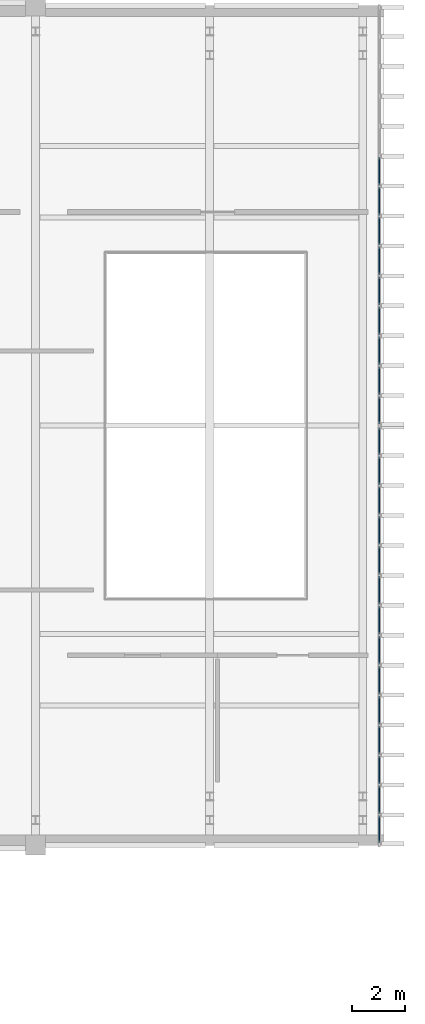
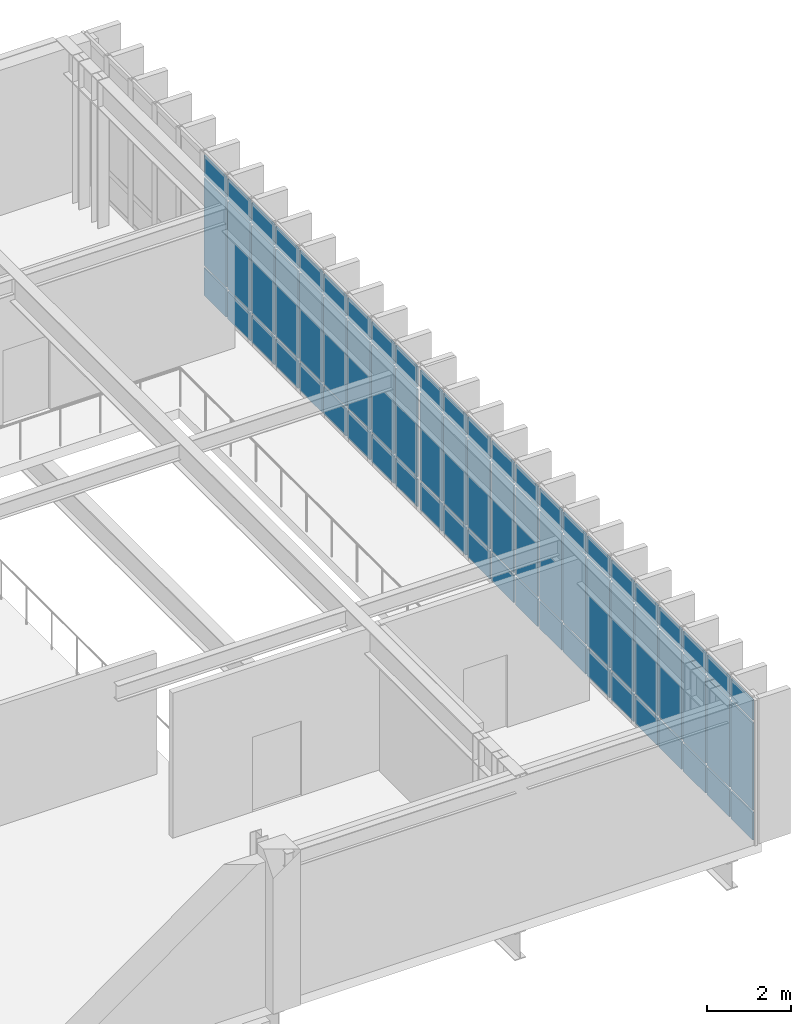
# One storey, part 10 of 23: 69 plates, 2 elements without a shape of their own.
"""IFC4 building model written with IfcOpenShell, lengths in metres."""

import ifcopenshell
import ifcopenshell.guid

model = None  # the IFC model being written
_history = None  # IfcOwnerHistory: only IFC2X3 demands one
_inside = {}  # id of a spatial element -> (the spatial element, [elements in it])
_under = {}  # id of a project, library or spatial element -> (it, [spatial elements below it])
_declared = {}  # id of a project -> (the project, [libraries it declares])
_typed = {}  # id of a type object -> (the type object, [elements of that type])
_made_of = {}  # id of a material, layer set ... -> (it, [elements and type objects made of it])


def new_model(schema):
    """Start an empty IFC model of exactly this schema.

    Asked for "IFC4X3", IfcOpenShell would pick the latest addendum, in which some entities
    have other attributes; the version numbers below select the first issue.
    IFC2X3 requires an IfcOwnerHistory on every rooted entity: one is made here for all.
    """
    global model, _history
    if schema == "IFC4X3":
        model = ifcopenshell.file(schema_version=(4, 3, 0, 0))
    else:
        model = ifcopenshell.file(schema=schema)
    _inside.clear()
    _under.clear()
    _declared.clear()
    _typed.clear()
    _made_of.clear()
    _history = None
    if model.schema == "IFC2X3":
        org = make("IfcOrganization", Name="unknown")
        user = make(
            "IfcPersonAndOrganization",
            ThePerson=make("IfcPerson", FamilyName="unknown"),
            TheOrganization=org,
        )
        app = make(
            "IfcApplication",
            ApplicationDeveloper=org,
            Version="unknown",
            ApplicationFullName="unknown",
            ApplicationIdentifier="unknown",
        )
        _history = make(
            "IfcOwnerHistory",
            OwningUser=user,
            OwningApplication=app,
            ChangeAction="ADDED",
            CreationDate=0,
        )
    return model


def make(cls, **values):
    """One entity of the class cls with the attributes given. An attribute that is None is left unset."""
    return model.create_entity(
        cls, **{name: value for name, value in values.items() if value is not None}
    )


def rooted(cls, **values):
    """An entity with a GlobalId (a new one), such as an element, a storey or a relation."""
    return make(cls, GlobalId=ifcopenshell.guid.new(), OwnerHistory=_history, **values)


def si_unit(unit_type, name, prefix=None):
    """IfcSIUnit, for example si_unit("LENGTHUNIT", "METRE", prefix="MILLI")."""
    return make("IfcSIUnit", UnitType=unit_type, Prefix=prefix, Name=name)


def assignment(units):
    """IfcUnitAssignment: the units of a project."""
    return None if units is None else make("IfcUnitAssignment", Units=units)


def point(xyz):
    """IfcCartesianPoint."""
    return None if xyz is None else make("IfcCartesianPoint", Coordinates=xyz)


def direction(xyz):
    """IfcDirection."""
    return None if xyz is None else make("IfcDirection", DirectionRatios=xyz)


def frame(location, z_axis=None, x_axis=None):
    """IfcAxis2Placement3D, a coordinate frame: its origin and axes. An axis left out is left unset."""
    return make(
        "IfcAxis2Placement3D",
        Location=point(location),
        Axis=direction(z_axis),
        RefDirection=direction(x_axis),
    )


def frame_2d(location, x_axis=None):
    """IfcAxis2Placement2D, a coordinate frame in the plane: its origin and x axis."""
    return make(
        "IfcAxis2Placement2D", Location=point(location), RefDirection=direction(x_axis)
    )


def origin():
    """The frame at (0, 0, 0) with its axes left unset."""
    return frame((0.0, 0.0, 0.0))


def origin_2d():
    """The frame at (0, 0) in the plane with its x axis left unset."""
    return frame_2d((0.0, 0.0))


def place(relative_to, where):
    """IfcLocalPlacement: puts the frame where relative to a parent placement (None: the world)."""
    return make(
        "IfcLocalPlacement", PlacementRelTo=relative_to, RelativePlacement=where
    )


def context(
    kind, dimensions, precision=None, world=None, true_north=None, identifier=None
):
    """IfcGeometricRepresentationContext, for example the 3D "Model" context."""
    return make(
        "IfcGeometricRepresentationContext",
        ContextIdentifier=identifier,
        ContextType=kind,
        CoordinateSpaceDimension=dimensions,
        Precision=precision,
        WorldCoordinateSystem=world,
        TrueNorth=true_north,
    )


def subcontext(parent, identifier, kind, view, scale=None):
    """IfcGeometricRepresentationSubContext, for example "Body" below "Model"."""
    return make(
        "IfcGeometricRepresentationSubContext",
        ContextIdentifier=identifier,
        ContextType=kind,
        ParentContext=parent,
        TargetScale=scale,
        TargetView=view,
    )


def project(units=None, contexts=None):
    """IfcProject with its units and contexts."""
    return rooted(
        "IfcProject",
        Name="project",
        RepresentationContexts=contexts,
        UnitsInContext=assignment(units),
    )


def spatial(cls, under=None, at=None, **own):
    """A site, building, storey or space (cls), placed at a placement, below another one or the project."""
    s = rooted(cls, ObjectPlacement=at, **own)
    if under is not None:
        _under.setdefault(under.id(), (under, []))[1].append(s)
    return s


def profile(cls, at=None, kind="AREA", **sizes):
    """A parametric profile (cls). Its sizes go by their IFC names, for example OverallWidth=200.0."""
    return make(cls, ProfileType=kind, Position=at, **sizes)


def rectangle(**sizes):
    """IfcRectangleProfileDef."""
    return profile("IfcRectangleProfileDef", **sizes)


def extrude(swept, where, along, depth):
    """IfcExtrudedAreaSolid: the profile swept, set in the frame where, extruded along a direction by depth."""
    return make(
        "IfcExtrudedAreaSolid",
        SweptArea=swept,
        Position=where,
        ExtrudedDirection=direction(along),
        Depth=depth,
    )


def shape(context_of_items, identifier, shape_type, items):
    """IfcShapeRepresentation: the items that make up one representation, for example the "Body"."""
    return make(
        "IfcShapeRepresentation",
        ContextOfItems=context_of_items,
        RepresentationIdentifier=identifier,
        RepresentationType=shape_type,
        Items=items,
    )


def material(Name=None, Category=None):
    """IfcMaterial."""
    return make("IfcMaterial", Name=Name, Category=Category)


def layer(
    of_material, thickness, ventilated=None, Name=None, Category=None, Priority=None
):
    """IfcMaterialLayer: one layer of a wall or slab, of a material (None: an air gap)."""
    return make(
        "IfcMaterialLayer",
        Material=of_material,
        LayerThickness=thickness,
        IsVentilated=ventilated,
        Name=Name,
        Category=Category,
        Priority=Priority,
    )


def layer_set(layers, Name=None):
    """IfcMaterialLayerSet."""
    return make("IfcMaterialLayerSet", MaterialLayers=layers, LayerSetName=Name)


def made_of(thing, what):
    """Note that an element or type object is made of a material, layer set ...; save() writes the relation."""
    if what is not None:
        _made_of.setdefault(what.id(), (what, []))[1].append(thing)
    return thing


def type_object(cls, material=None, **own):
    """A type object (cls), such as IfcWallType, which elements share."""
    return made_of(rooted(cls, **own), material)


def element(
    cls,
    number,
    at=None,
    inside=None,
    cuts=None,
    type_object=None,
    material=None,
    context=None,
    identifier="Body",
    shape_type=None,
    held_by="IfcProductDefinitionShape",
    body=None,
    shapes=None,
    **own,
):
    """One element of the class cls, such as IfcWall. Its Tag is "e" and its number.

    at: its placement. inside: the storey or other place that contains it. cuts: it is an
    opening in that element (IfcRelVoidsElement). A single representation is given by context,
    identifier, shape_type and body (its items); several are given by shapes. held_by: the class
    of the entity that holds the representations. save() writes the other relations.
    """
    e = rooted(cls, Tag="e%d" % number, ObjectPlacement=at, **own)
    if body is not None:
        shapes = [shape(context, identifier, shape_type, body)]
    if shapes is not None:
        e.Representation = make(held_by, Representations=shapes)
    if inside is not None:
        _inside.setdefault(inside.id(), (inside, []))[1].append(e)
    if cuts is not None:
        rooted(
            "IfcRelVoidsElement", RelatingBuildingElement=cuts, RelatedOpeningElement=e
        )
    if type_object is not None:
        _typed.setdefault(type_object.id(), (type_object, []))[1].append(e)
    return made_of(e, material)


def aggregate(whole, parts):
    """IfcRelAggregates: a whole, such as a stair, and the parts it consists of."""
    return rooted("IfcRelAggregates", RelatingObject=whole, RelatedObjects=parts)


def save(model, path):
    """Write the relations noted so far, then the file.

    IfcRelAggregates (storeys below a building ...), IfcRelContainedInSpatialStructure (elements
    in a storey), IfcRelDefinesByType, IfcRelAssociatesMaterial and IfcRelDeclares: one each for
    every whole, place, type object, material and project.
    """
    for whole, parts in _under.values():
        aggregate(whole, parts)
    for where, things in _inside.values():
        rooted(
            "IfcRelContainedInSpatialStructure",
            RelatedElements=things,
            RelatingStructure=where,
        )
    for kind, things in _typed.values():
        rooted("IfcRelDefinesByType", RelatedObjects=things, RelatingType=kind)
    for what, things in _made_of.values():
        rooted("IfcRelAssociatesMaterial", RelatedObjects=things, RelatingMaterial=what)
    for by, libraries in _declared.values():
        rooted("IfcRelDeclares", RelatingContext=by, RelatedDefinitions=libraries)
    model.write(path)


model = new_model("IFC4")

# Units and contexts
model_context = context("Model", 3, precision=1e-05, world=origin(), true_north=direction((0.0, 1.0)))
body_context = subcontext(model_context, "Body", "Model", "MODEL_VIEW")
ifc_project = project(units=[si_unit("LENGTHUNIT", "METRE"), si_unit("AREAUNIT", "SQUARE_METRE"), si_unit("VOLUMEUNIT", "CUBIC_METRE"), si_unit("PLANEANGLEUNIT", "RADIAN"), si_unit("MASSUNIT", "GRAM", prefix="KILO")], contexts=[model_context])

# Site, building, storey
site_placement = place(None, origin())
site = spatial("IfcSite", under=ifc_project, at=site_placement, CompositionType="ELEMENT")
building_placement = place(site_placement, origin())
building = spatial("IfcBuilding", under=site, at=building_placement, Name="Kelarvand Opera House", CompositionType="ELEMENT")
storey_placement = place(building_placement, frame((0.0, 0.0, 19.5)))
storey = spatial("IfcBuildingStorey", under=building, at=storey_placement, Name="L04", CompositionType="ELEMENT", Elevation=19.5)

# Curtain wall, plates
ifc_material_1 = material(Name="Thermally broken aluminium and low-E glazing", Category="aluminium")
ifc_layer_1 = layer(ifc_material_1, 0.219970703125, Name="Thermally broken aluminium and low-E glazing", Category="aluminium")
ifc_layer_set_1 = layer_set([ifc_layer_1], Name="Thermally broken aluminium and low-E glazing")
curtain_wall_type = type_object("IfcCurtainWallType", Name="Unitised Low-E Curtain Wall 15886x4200 Mod 1150 CWF-07", PredefinedType="USERDEFINED", material=ifc_layer_set_1)
curtain_wall_1_placement = place(storey_placement, origin())
curtain_wall_1 = element("IfcCurtainWall", 1, at=curtain_wall_1_placement, inside=storey, type_object=curtain_wall_type, Name="V1 L04 Curtain Wall CWF-07 (25)", ObjectType="UNITISED CURTAIN WALL", PredefinedType="USERDEFINED")
ifc_material_2 = material(Name="Acoustic triple-laminated low-E glazing", Category="glass")
ifc_layer_2 = layer(ifc_material_2, 0.0400390625, Name="Acoustic triple-laminated low-E glazing", Category="glass")
ifc_layer_set_2 = layer_set([ifc_layer_2], Name="Acoustic triple-laminated low-E glazing")
plate_type = type_object("IfcPlateType", Name="Acoustic Laminated Plaza Curtain Panel 40mm", PredefinedType="CURTAIN_PANEL", material=ifc_layer_set_2)
plate_1_placement = place(storey_placement, frame((154.820068359375, 72.149169921875, 0.074951171875), z_axis=(0.0, 0.0, 1.0), x_axis=(0.0, -1.0, 0.0)))
plate_1 = element("IfcPlate", 2, at=plate_1_placement, type_object=plate_type, Name="CWF-07 panel 6.1", PredefinedType="CURTAIN_PANEL", context=body_context, shape_type="SweptSolid", body=[
    extrude(rectangle(XDim=1.059814453125, YDim=0.0400390625, at=origin_2d()), origin(), (0.0, 0.0, 1.0), 0.78759765625),
])
plate_2_placement = place(storey_placement, frame((154.820068359375, 72.149169921875, 0.9375), z_axis=(0.0, 0.0, 1.0), x_axis=(0.0, -1.0, 0.0)))
plate_2 = element("IfcPlate", 3, at=plate_2_placement, type_object=plate_type, Name="CWF-07 panel 6.2", PredefinedType="CURTAIN_PANEL", context=body_context, shape_type="SweptSolid", body=[
    extrude(rectangle(XDim=1.059814453125, YDim=0.0400390625, at=origin_2d()), origin(), (0.0, 0.0, 1.0), 2.52490234375),
])
plate_3_placement = place(storey_placement, frame((154.820068359375, 72.149169921875, 3.53759765625), z_axis=(0.0, 0.0, 1.0), x_axis=(0.0, -1.0, 0.0)))
plate_3 = element("IfcPlate", 4, at=plate_3_placement, type_object=plate_type, Name="CWF-07 panel 6.3", PredefinedType="CURTAIN_PANEL", context=body_context, shape_type="SweptSolid", body=[
    extrude(rectangle(XDim=1.059814453125, YDim=0.0400390625, at=origin_2d()), origin(), (0.0, 0.0, 1.0), 0.58740234375),
])
plate_4_placement = place(storey_placement, frame((154.820068359375, 71.014404296875, 0.074951171875), z_axis=(0.0, 0.0, 1.0), x_axis=(0.0, -1.0, 0.0)))
plate_4 = element("IfcPlate", 5, at=plate_4_placement, type_object=plate_type, Name="CWF-07 panel 7.1", PredefinedType="CURTAIN_PANEL", context=body_context, shape_type="SweptSolid", body=[
    extrude(rectangle(XDim=1.059814453125, YDim=0.0400390625, at=origin_2d()), origin(), (0.0, 0.0, 1.0), 0.78759765625),
])
plate_5_placement = place(storey_placement, frame((154.820068359375, 71.014404296875, 0.9375), z_axis=(0.0, 0.0, 1.0), x_axis=(0.0, -1.0, 0.0)))
plate_5 = element("IfcPlate", 6, at=plate_5_placement, type_object=plate_type, Name="CWF-07 panel 7.2", PredefinedType="CURTAIN_PANEL", context=body_context, shape_type="SweptSolid", body=[
    extrude(rectangle(XDim=1.059814453125, YDim=0.0400390625, at=origin_2d()), origin(), (0.0, 0.0, 1.0), 2.52490234375),
])
plate_6_placement = place(storey_placement, frame((154.820068359375, 71.014404296875, 3.53759765625), z_axis=(0.0, 0.0, 1.0), x_axis=(0.0, -1.0, 0.0)))
plate_6 = element("IfcPlate", 7, at=plate_6_placement, type_object=plate_type, Name="CWF-07 panel 7.3", PredefinedType="CURTAIN_PANEL", context=body_context, shape_type="SweptSolid", body=[
    extrude(rectangle(XDim=1.059814453125, YDim=0.0400390625, at=origin_2d()), origin(), (0.0, 0.0, 1.0), 0.58740234375),
])
plate_7_placement = place(storey_placement, frame((154.820068359375, 69.879638671875, 0.074951171875), z_axis=(0.0, 0.0, 1.0), x_axis=(0.0, -1.0, 0.0)))
plate_7 = element("IfcPlate", 8, at=plate_7_placement, type_object=plate_type, Name="CWF-07 panel 8.1", PredefinedType="CURTAIN_PANEL", context=body_context, shape_type="SweptSolid", body=[
    extrude(rectangle(XDim=1.059814453125, YDim=0.0400390625, at=origin_2d()), origin(), (0.0, 0.0, 1.0), 0.78759765625),
])
plate_8_placement = place(storey_placement, frame((154.820068359375, 69.879638671875, 0.9375), z_axis=(0.0, 0.0, 1.0), x_axis=(0.0, -1.0, 0.0)))
plate_8 = element("IfcPlate", 9, at=plate_8_placement, type_object=plate_type, Name="CWF-07 panel 8.2", PredefinedType="CURTAIN_PANEL", context=body_context, shape_type="SweptSolid", body=[
    extrude(rectangle(XDim=1.059814453125, YDim=0.0400390625, at=origin_2d()), origin(), (0.0, 0.0, 1.0), 2.52490234375),
])
plate_9_placement = place(storey_placement, frame((154.820068359375, 69.879638671875, 3.53759765625), z_axis=(0.0, 0.0, 1.0), x_axis=(0.0, -1.0, 0.0)))
plate_9 = element("IfcPlate", 10, at=plate_9_placement, type_object=plate_type, Name="CWF-07 panel 8.3", PredefinedType="CURTAIN_PANEL", context=body_context, shape_type="SweptSolid", body=[
    extrude(rectangle(XDim=1.059814453125, YDim=0.0400390625, at=origin_2d()), origin(), (0.0, 0.0, 1.0), 0.58740234375),
])
plate_10_placement = place(storey_placement, frame((154.820068359375, 68.744873046875, 0.074951171875), z_axis=(0.0, 0.0, 1.0), x_axis=(0.0, -1.0, 0.0)))
plate_10 = element("IfcPlate", 11, at=plate_10_placement, type_object=plate_type, Name="CWF-07 panel 9.1", PredefinedType="CURTAIN_PANEL", context=body_context, shape_type="SweptSolid", body=[
    extrude(rectangle(XDim=1.059814453125, YDim=0.0400390625, at=origin_2d()), origin(), (0.0, 0.0, 1.0), 0.78759765625),
])
plate_11_placement = place(storey_placement, frame((154.820068359375, 68.744873046875, 0.9375), z_axis=(0.0, 0.0, 1.0), x_axis=(0.0, -1.0, 0.0)))
plate_11 = element("IfcPlate", 12, at=plate_11_placement, type_object=plate_type, Name="CWF-07 panel 9.2", PredefinedType="CURTAIN_PANEL", context=body_context, shape_type="SweptSolid", body=[
    extrude(rectangle(XDim=1.059814453125, YDim=0.0400390625, at=origin_2d()), origin(), (0.0, 0.0, 1.0), 2.52490234375),
])
plate_12_placement = place(storey_placement, frame((154.820068359375, 68.744873046875, 3.53759765625), z_axis=(0.0, 0.0, 1.0), x_axis=(0.0, -1.0, 0.0)))
plate_12 = element("IfcPlate", 13, at=plate_12_placement, type_object=plate_type, Name="CWF-07 panel 9.3", PredefinedType="CURTAIN_PANEL", context=body_context, shape_type="SweptSolid", body=[
    extrude(rectangle(XDim=1.059814453125, YDim=0.0400390625, at=origin_2d()), origin(), (0.0, 0.0, 1.0), 0.58740234375),
])
plate_13_placement = place(storey_placement, frame((154.820068359375, 67.610107421875, 0.074951171875), z_axis=(0.0, 0.0, 1.0), x_axis=(0.0, -1.0, 0.0)))
plate_13 = element("IfcPlate", 14, at=plate_13_placement, type_object=plate_type, Name="CWF-07 panel 10.1", PredefinedType="CURTAIN_PANEL", context=body_context, shape_type="SweptSolid", body=[
    extrude(rectangle(XDim=1.059814453125, YDim=0.0400390625, at=origin_2d()), origin(), (0.0, 0.0, 1.0), 0.78759765625),
])
plate_14_placement = place(storey_placement, frame((154.820068359375, 67.610107421875, 0.9375), z_axis=(0.0, 0.0, 1.0), x_axis=(0.0, -1.0, 0.0)))
plate_14 = element("IfcPlate", 15, at=plate_14_placement, type_object=plate_type, Name="CWF-07 panel 10.2", PredefinedType="CURTAIN_PANEL", context=body_context, shape_type="SweptSolid", body=[
    extrude(rectangle(XDim=1.059814453125, YDim=0.0400390625, at=origin_2d()), origin(), (0.0, 0.0, 1.0), 2.52490234375),
])
plate_15_placement = place(storey_placement, frame((154.820068359375, 67.610107421875, 3.53759765625), z_axis=(0.0, 0.0, 1.0), x_axis=(0.0, -1.0, 0.0)))
plate_15 = element("IfcPlate", 16, at=plate_15_placement, type_object=plate_type, Name="CWF-07 panel 10.3", PredefinedType="CURTAIN_PANEL", context=body_context, shape_type="SweptSolid", body=[
    extrude(rectangle(XDim=1.059814453125, YDim=0.0400390625, at=origin_2d()), origin(), (0.0, 0.0, 1.0), 0.58740234375),
])
plate_16_placement = place(storey_placement, frame((154.820068359375, 66.4755859375, 0.074951171875), z_axis=(0.0, 0.0, 1.0), x_axis=(0.0, -1.0, 0.0)))
plate_16 = element("IfcPlate", 17, at=plate_16_placement, type_object=plate_type, Name="CWF-07 panel 11.1", PredefinedType="CURTAIN_PANEL", context=body_context, shape_type="SweptSolid", body=[
    extrude(rectangle(XDim=1.059814453125, YDim=0.0400390625, at=origin_2d()), origin(), (0.0, 0.0, 1.0), 0.78759765625),
])
plate_17_placement = place(storey_placement, frame((154.820068359375, 66.4755859375, 0.9375), z_axis=(0.0, 0.0, 1.0), x_axis=(0.0, -1.0, 0.0)))
plate_17 = element("IfcPlate", 18, at=plate_17_placement, type_object=plate_type, Name="CWF-07 panel 11.2", PredefinedType="CURTAIN_PANEL", context=body_context, shape_type="SweptSolid", body=[
    extrude(rectangle(XDim=1.059814453125, YDim=0.0400390625, at=origin_2d()), origin(), (0.0, 0.0, 1.0), 2.52490234375),
])
plate_18_placement = place(storey_placement, frame((154.820068359375, 66.4755859375, 3.53759765625), z_axis=(0.0, 0.0, 1.0), x_axis=(0.0, -1.0, 0.0)))
plate_18 = element("IfcPlate", 19, at=plate_18_placement, type_object=plate_type, Name="CWF-07 panel 11.3", PredefinedType="CURTAIN_PANEL", context=body_context, shape_type="SweptSolid", body=[
    extrude(rectangle(XDim=1.059814453125, YDim=0.0400390625, at=origin_2d()), origin(), (0.0, 0.0, 1.0), 0.58740234375),
])
plate_19_placement = place(storey_placement, frame((154.820068359375, 65.3408203125, 0.074951171875), z_axis=(0.0, 0.0, 1.0), x_axis=(0.0, -1.0, 0.0)))
plate_19 = element("IfcPlate", 20, at=plate_19_placement, type_object=plate_type, Name="CWF-07 panel 12.1", PredefinedType="CURTAIN_PANEL", context=body_context, shape_type="SweptSolid", body=[
    extrude(rectangle(XDim=1.059814453125, YDim=0.0400390625, at=origin_2d()), origin(), (0.0, 0.0, 1.0), 0.78759765625),
])
plate_20_placement = place(storey_placement, frame((154.820068359375, 65.3408203125, 0.9375), z_axis=(0.0, 0.0, 1.0), x_axis=(0.0, -1.0, 0.0)))
plate_20 = element("IfcPlate", 21, at=plate_20_placement, type_object=plate_type, Name="CWF-07 panel 12.2", PredefinedType="CURTAIN_PANEL", context=body_context, shape_type="SweptSolid", body=[
    extrude(rectangle(XDim=1.059814453125, YDim=0.0400390625, at=origin_2d()), origin(), (0.0, 0.0, 1.0), 2.52490234375),
])
plate_21_placement = place(storey_placement, frame((154.820068359375, 65.3408203125, 3.53759765625), z_axis=(0.0, 0.0, 1.0), x_axis=(0.0, -1.0, 0.0)))
plate_21 = element("IfcPlate", 22, at=plate_21_placement, type_object=plate_type, Name="CWF-07 panel 12.3", PredefinedType="CURTAIN_PANEL", context=body_context, shape_type="SweptSolid", body=[
    extrude(rectangle(XDim=1.059814453125, YDim=0.0400390625, at=origin_2d()), origin(), (0.0, 0.0, 1.0), 0.58740234375),
])
plate_22_placement = place(storey_placement, frame((154.820068359375, 64.2060546875, 0.074951171875), z_axis=(0.0, 0.0, 1.0), x_axis=(0.0, -1.0, 0.0)))
plate_22 = element("IfcPlate", 23, at=plate_22_placement, type_object=plate_type, Name="CWF-07 panel 13.1", PredefinedType="CURTAIN_PANEL", context=body_context, shape_type="SweptSolid", body=[
    extrude(rectangle(XDim=1.059814453125, YDim=0.0400390625, at=origin_2d()), origin(), (0.0, 0.0, 1.0), 0.78759765625),
])
plate_23_placement = place(storey_placement, frame((154.820068359375, 64.2060546875, 0.9375), z_axis=(0.0, 0.0, 1.0), x_axis=(0.0, -1.0, 0.0)))
plate_23 = element("IfcPlate", 24, at=plate_23_placement, type_object=plate_type, Name="CWF-07 panel 13.2", PredefinedType="CURTAIN_PANEL", context=body_context, shape_type="SweptSolid", body=[
    extrude(rectangle(XDim=1.059814453125, YDim=0.0400390625, at=origin_2d()), origin(), (0.0, 0.0, 1.0), 2.52490234375),
])
plate_24_placement = place(storey_placement, frame((154.820068359375, 64.2060546875, 3.53759765625), z_axis=(0.0, 0.0, 1.0), x_axis=(0.0, -1.0, 0.0)))
plate_24 = element("IfcPlate", 25, at=plate_24_placement, type_object=plate_type, Name="CWF-07 panel 13.3", PredefinedType="CURTAIN_PANEL", context=body_context, shape_type="SweptSolid", body=[
    extrude(rectangle(XDim=1.059814453125, YDim=0.0400390625, at=origin_2d()), origin(), (0.0, 0.0, 1.0), 0.58740234375),
])
plate_25_placement = place(storey_placement, frame((154.820068359375, 63.090087890625, 0.074951171875), z_axis=(0.0, 0.0, 1.0), x_axis=(0.0, -1.0, 0.0)))
plate_25 = element("IfcPlate", 26, at=plate_25_placement, type_object=plate_type, Name="CWF-07 panel 14.1", PredefinedType="CURTAIN_PANEL", context=body_context, shape_type="SweptSolid", body=[
    extrude(rectangle(XDim=1.022216796875, YDim=0.0400390625, at=origin_2d()), origin(), (0.0, 0.0, 1.0), 0.78759765625),
])
plate_26_placement = place(storey_placement, frame((154.820068359375, 63.090087890625, 0.9375), z_axis=(0.0, 0.0, 1.0), x_axis=(0.0, -1.0, 0.0)))
plate_26 = element("IfcPlate", 27, at=plate_26_placement, type_object=plate_type, Name="CWF-07 panel 14.2", PredefinedType="CURTAIN_PANEL", context=body_context, shape_type="SweptSolid", body=[
    extrude(rectangle(XDim=1.022216796875, YDim=0.0400390625, at=origin_2d()), origin(), (0.0, 0.0, 1.0), 2.52490234375),
])
plate_27_placement = place(storey_placement, frame((154.820068359375, 63.090087890625, 3.53759765625), z_axis=(0.0, 0.0, 1.0), x_axis=(0.0, -1.0, 0.0)))
plate_27 = element("IfcPlate", 28, at=plate_27_placement, type_object=plate_type, Name="CWF-07 panel 14.3", PredefinedType="CURTAIN_PANEL", context=body_context, shape_type="SweptSolid", body=[
    extrude(rectangle(XDim=1.022216796875, YDim=0.0400390625, at=origin_2d()), origin(), (0.0, 0.0, 1.0), 0.58740234375),
])
aggregate(curtain_wall_1, [plate_1, plate_2, plate_3, plate_4, plate_5, plate_6, plate_7, plate_8, plate_9, plate_10, plate_11, plate_12, plate_13, plate_14, plate_15, plate_16, plate_17, plate_18, plate_19, plate_20, plate_21, plate_22, plate_23, plate_24, plate_25, plate_26, plate_27])

curtain_wall_2_placement = place(storey_placement, origin())
curtain_wall_2 = element("IfcCurtainWall", 29, at=curtain_wall_2_placement, inside=storey, type_object=curtain_wall_type, Name="V1 L04 Curtain Wall CWF-07 (26)", ObjectType="UNITISED CURTAIN WALL", PredefinedType="USERDEFINED")
plate_28_placement = place(storey_placement, frame((154.820068359375, 61.913818359375, 0.074951171875), z_axis=(0.0, 0.0, 1.0), x_axis=(0.0, -1.0, 0.0)))
plate_28 = element("IfcPlate", 30, at=plate_28_placement, type_object=plate_type, Name="CWF-07 panel 1.1", PredefinedType="CURTAIN_PANEL", context=body_context, shape_type="SweptSolid", body=[
    extrude(rectangle(XDim=1.0224609375, YDim=0.0400390625, at=origin_2d()), origin(), (0.0, 0.0, 1.0), 0.78759765625),
])
plate_29_placement = place(storey_placement, frame((154.820068359375, 61.913818359375, 0.9375), z_axis=(0.0, 0.0, 1.0), x_axis=(0.0, -1.0, 0.0)))
plate_29 = element("IfcPlate", 31, at=plate_29_placement, type_object=plate_type, Name="CWF-07 panel 1.2", PredefinedType="CURTAIN_PANEL", context=body_context, shape_type="SweptSolid", body=[
    extrude(rectangle(XDim=1.0224609375, YDim=0.0400390625, at=origin_2d()), origin(), (0.0, 0.0, 1.0), 2.52490234375),
])
plate_30_placement = place(storey_placement, frame((154.820068359375, 61.913818359375, 3.53759765625), z_axis=(0.0, 0.0, 1.0), x_axis=(0.0, -1.0, 0.0)))
plate_30 = element("IfcPlate", 32, at=plate_30_placement, type_object=plate_type, Name="CWF-07 panel 1.3", PredefinedType="CURTAIN_PANEL", context=body_context, shape_type="SweptSolid", body=[
    extrude(rectangle(XDim=1.0224609375, YDim=0.0400390625, at=origin_2d()), origin(), (0.0, 0.0, 1.0), 0.58740234375),
])
plate_31_placement = place(storey_placement, frame((154.820068359375, 60.797607421875, 0.074951171875), z_axis=(0.0, 0.0, 1.0), x_axis=(0.0, -1.0, 0.0)))
plate_31 = element("IfcPlate", 33, at=plate_31_placement, type_object=plate_type, Name="CWF-07 panel 2.1", PredefinedType="CURTAIN_PANEL", context=body_context, shape_type="SweptSolid", body=[
    extrude(rectangle(XDim=1.06005859375, YDim=0.0400390625, at=origin_2d()), origin(), (0.0, 0.0, 1.0), 0.78759765625),
])
plate_32_placement = place(storey_placement, frame((154.820068359375, 60.797607421875, 0.9375), z_axis=(0.0, 0.0, 1.0), x_axis=(0.0, -1.0, 0.0)))
plate_32 = element("IfcPlate", 34, at=plate_32_placement, type_object=plate_type, Name="CWF-07 panel 2.2", PredefinedType="CURTAIN_PANEL", context=body_context, shape_type="SweptSolid", body=[
    extrude(rectangle(XDim=1.06005859375, YDim=0.0400390625, at=origin_2d()), origin(), (0.0, 0.0, 1.0), 2.52490234375),
])
plate_33_placement = place(storey_placement, frame((154.820068359375, 60.797607421875, 3.53759765625), z_axis=(0.0, 0.0, 1.0), x_axis=(0.0, -1.0, 0.0)))
plate_33 = element("IfcPlate", 35, at=plate_33_placement, type_object=plate_type, Name="CWF-07 panel 2.3", PredefinedType="CURTAIN_PANEL", context=body_context, shape_type="SweptSolid", body=[
    extrude(rectangle(XDim=1.06005859375, YDim=0.0400390625, at=origin_2d()), origin(), (0.0, 0.0, 1.0), 0.58740234375),
])
plate_34_placement = place(storey_placement, frame((154.820068359375, 59.66259765625, 0.074951171875), z_axis=(0.0, 0.0, 1.0), x_axis=(0.0, -1.0, 0.0)))
plate_34 = element("IfcPlate", 36, at=plate_34_placement, type_object=plate_type, Name="CWF-07 panel 3.1", PredefinedType="CURTAIN_PANEL", context=body_context, shape_type="SweptSolid", body=[
    extrude(rectangle(XDim=1.06005859375, YDim=0.0400390625, at=origin_2d()), origin(), (0.0, 0.0, 1.0), 0.78759765625),
])
plate_35_placement = place(storey_placement, frame((154.820068359375, 59.66259765625, 0.9375), z_axis=(0.0, 0.0, 1.0), x_axis=(0.0, -1.0, 0.0)))
plate_35 = element("IfcPlate", 37, at=plate_35_placement, type_object=plate_type, Name="CWF-07 panel 3.2", PredefinedType="CURTAIN_PANEL", context=body_context, shape_type="SweptSolid", body=[
    extrude(rectangle(XDim=1.06005859375, YDim=0.0400390625, at=origin_2d()), origin(), (0.0, 0.0, 1.0), 2.52490234375),
])
plate_36_placement = place(storey_placement, frame((154.820068359375, 59.66259765625, 3.53759765625), z_axis=(0.0, 0.0, 1.0), x_axis=(0.0, -1.0, 0.0)))
plate_36 = element("IfcPlate", 38, at=plate_36_placement, type_object=plate_type, Name="CWF-07 panel 3.3", PredefinedType="CURTAIN_PANEL", context=body_context, shape_type="SweptSolid", body=[
    extrude(rectangle(XDim=1.06005859375, YDim=0.0400390625, at=origin_2d()), origin(), (0.0, 0.0, 1.0), 0.58740234375),
])
plate_37_placement = place(storey_placement, frame((154.820068359375, 58.527587890625, 0.074951171875), z_axis=(0.0, 0.0, 1.0), x_axis=(0.0, -1.0, 0.0)))
plate_37 = element("IfcPlate", 39, at=plate_37_placement, type_object=plate_type, Name="CWF-07 panel 4.1", PredefinedType="CURTAIN_PANEL", context=body_context, shape_type="SweptSolid", body=[
    extrude(rectangle(XDim=1.06005859375, YDim=0.0400390625, at=origin_2d()), origin(), (0.0, 0.0, 1.0), 0.78759765625),
])
plate_38_placement = place(storey_placement, frame((154.820068359375, 58.527587890625, 0.9375), z_axis=(0.0, 0.0, 1.0), x_axis=(0.0, -1.0, 0.0)))
plate_38 = element("IfcPlate", 40, at=plate_38_placement, type_object=plate_type, Name="CWF-07 panel 4.2", PredefinedType="CURTAIN_PANEL", context=body_context, shape_type="SweptSolid", body=[
    extrude(rectangle(XDim=1.06005859375, YDim=0.0400390625, at=origin_2d()), origin(), (0.0, 0.0, 1.0), 2.52490234375),
])
plate_39_placement = place(storey_placement, frame((154.820068359375, 58.527587890625, 3.53759765625), z_axis=(0.0, 0.0, 1.0), x_axis=(0.0, -1.0, 0.0)))
plate_39 = element("IfcPlate", 41, at=plate_39_placement, type_object=plate_type, Name="CWF-07 panel 4.3", PredefinedType="CURTAIN_PANEL", context=body_context, shape_type="SweptSolid", body=[
    extrude(rectangle(XDim=1.06005859375, YDim=0.0400390625, at=origin_2d()), origin(), (0.0, 0.0, 1.0), 0.58740234375),
])
plate_40_placement = place(storey_placement, frame((154.820068359375, 57.392578125, 0.074951171875), z_axis=(0.0, 0.0, 1.0), x_axis=(0.0, -1.0, 0.0)))
plate_40 = element("IfcPlate", 42, at=plate_40_placement, type_object=plate_type, Name="CWF-07 panel 5.1", PredefinedType="CURTAIN_PANEL", context=body_context, shape_type="SweptSolid", body=[
    extrude(rectangle(XDim=1.06005859375, YDim=0.0400390625, at=origin_2d()), origin(), (0.0, 0.0, 1.0), 0.78759765625),
])
plate_41_placement = place(storey_placement, frame((154.820068359375, 57.392578125, 0.9375), z_axis=(0.0, 0.0, 1.0), x_axis=(0.0, -1.0, 0.0)))
plate_41 = element("IfcPlate", 43, at=plate_41_placement, type_object=plate_type, Name="CWF-07 panel 5.2", PredefinedType="CURTAIN_PANEL", context=body_context, shape_type="SweptSolid", body=[
    extrude(rectangle(XDim=1.06005859375, YDim=0.0400390625, at=origin_2d()), origin(), (0.0, 0.0, 1.0), 2.52490234375),
])
plate_42_placement = place(storey_placement, frame((154.820068359375, 57.392578125, 3.53759765625), z_axis=(0.0, 0.0, 1.0), x_axis=(0.0, -1.0, 0.0)))
plate_42 = element("IfcPlate", 44, at=plate_42_placement, type_object=plate_type, Name="CWF-07 panel 5.3", PredefinedType="CURTAIN_PANEL", context=body_context, shape_type="SweptSolid", body=[
    extrude(rectangle(XDim=1.06005859375, YDim=0.0400390625, at=origin_2d()), origin(), (0.0, 0.0, 1.0), 0.58740234375),
])
plate_43_placement = place(storey_placement, frame((154.820068359375, 56.257568359375, 0.074951171875), z_axis=(0.0, 0.0, 1.0), x_axis=(0.0, -1.0, 0.0)))
plate_43 = element("IfcPlate", 45, at=plate_43_placement, type_object=plate_type, Name="CWF-07 panel 6.1", PredefinedType="CURTAIN_PANEL", context=body_context, shape_type="SweptSolid", body=[
    extrude(rectangle(XDim=1.06005859375, YDim=0.0400390625, at=origin_2d()), origin(), (0.0, 0.0, 1.0), 0.78759765625),
])
plate_44_placement = place(storey_placement, frame((154.820068359375, 56.257568359375, 0.9375), z_axis=(0.0, 0.0, 1.0), x_axis=(0.0, -1.0, 0.0)))
plate_44 = element("IfcPlate", 46, at=plate_44_placement, type_object=plate_type, Name="CWF-07 panel 6.2", PredefinedType="CURTAIN_PANEL", context=body_context, shape_type="SweptSolid", body=[
    extrude(rectangle(XDim=1.06005859375, YDim=0.0400390625, at=origin_2d()), origin(), (0.0, 0.0, 1.0), 2.52490234375),
])
plate_45_placement = place(storey_placement, frame((154.820068359375, 56.257568359375, 3.53759765625), z_axis=(0.0, 0.0, 1.0), x_axis=(0.0, -1.0, 0.0)))
plate_45 = element("IfcPlate", 47, at=plate_45_placement, type_object=plate_type, Name="CWF-07 panel 6.3", PredefinedType="CURTAIN_PANEL", context=body_context, shape_type="SweptSolid", body=[
    extrude(rectangle(XDim=1.06005859375, YDim=0.0400390625, at=origin_2d()), origin(), (0.0, 0.0, 1.0), 0.58740234375),
])
plate_46_placement = place(storey_placement, frame((154.820068359375, 55.12255859375, 0.074951171875), z_axis=(0.0, 0.0, 1.0), x_axis=(0.0, -1.0, 0.0)))
plate_46 = element("IfcPlate", 48, at=plate_46_placement, type_object=plate_type, Name="CWF-07 panel 7.1", PredefinedType="CURTAIN_PANEL", context=body_context, shape_type="SweptSolid", body=[
    extrude(rectangle(XDim=1.06005859375, YDim=0.0400390625, at=origin_2d()), origin(), (0.0, 0.0, 1.0), 0.78759765625),
])
plate_47_placement = place(storey_placement, frame((154.820068359375, 55.12255859375, 0.9375), z_axis=(0.0, 0.0, 1.0), x_axis=(0.0, -1.0, 0.0)))
plate_47 = element("IfcPlate", 49, at=plate_47_placement, type_object=plate_type, Name="CWF-07 panel 7.2", PredefinedType="CURTAIN_PANEL", context=body_context, shape_type="SweptSolid", body=[
    extrude(rectangle(XDim=1.06005859375, YDim=0.0400390625, at=origin_2d()), origin(), (0.0, 0.0, 1.0), 2.52490234375),
])
plate_48_placement = place(storey_placement, frame((154.820068359375, 55.12255859375, 3.53759765625), z_axis=(0.0, 0.0, 1.0), x_axis=(0.0, -1.0, 0.0)))
plate_48 = element("IfcPlate", 50, at=plate_48_placement, type_object=plate_type, Name="CWF-07 panel 7.3", PredefinedType="CURTAIN_PANEL", context=body_context, shape_type="SweptSolid", body=[
    extrude(rectangle(XDim=1.06005859375, YDim=0.0400390625, at=origin_2d()), origin(), (0.0, 0.0, 1.0), 0.58740234375),
])
plate_49_placement = place(storey_placement, frame((154.820068359375, 53.987548828125, 0.074951171875), z_axis=(0.0, 0.0, 1.0), x_axis=(0.0, -1.0, 0.0)))
plate_49 = element("IfcPlate", 51, at=plate_49_placement, type_object=plate_type, Name="CWF-07 panel 8.1", PredefinedType="CURTAIN_PANEL", context=body_context, shape_type="SweptSolid", body=[
    extrude(rectangle(XDim=1.06005859375, YDim=0.0400390625, at=origin_2d()), origin(), (0.0, 0.0, 1.0), 0.78759765625),
])
plate_50_placement = place(storey_placement, frame((154.820068359375, 53.987548828125, 0.9375), z_axis=(0.0, 0.0, 1.0), x_axis=(0.0, -1.0, 0.0)))
plate_50 = element("IfcPlate", 52, at=plate_50_placement, type_object=plate_type, Name="CWF-07 panel 8.2", PredefinedType="CURTAIN_PANEL", context=body_context, shape_type="SweptSolid", body=[
    extrude(rectangle(XDim=1.06005859375, YDim=0.0400390625, at=origin_2d()), origin(), (0.0, 0.0, 1.0), 2.52490234375),
])
plate_51_placement = place(storey_placement, frame((154.820068359375, 53.987548828125, 3.53759765625), z_axis=(0.0, 0.0, 1.0), x_axis=(0.0, -1.0, 0.0)))
plate_51 = element("IfcPlate", 53, at=plate_51_placement, type_object=plate_type, Name="CWF-07 panel 8.3", PredefinedType="CURTAIN_PANEL", context=body_context, shape_type="SweptSolid", body=[
    extrude(rectangle(XDim=1.06005859375, YDim=0.0400390625, at=origin_2d()), origin(), (0.0, 0.0, 1.0), 0.58740234375),
])
plate_52_placement = place(storey_placement, frame((154.820068359375, 52.8525390625, 0.074951171875), z_axis=(0.0, 0.0, 1.0), x_axis=(0.0, -1.0, 0.0)))
plate_52 = element("IfcPlate", 54, at=plate_52_placement, type_object=plate_type, Name="CWF-07 panel 9.1", PredefinedType="CURTAIN_PANEL", context=body_context, shape_type="SweptSolid", body=[
    extrude(rectangle(XDim=1.06005859375, YDim=0.0400390625, at=origin_2d()), origin(), (0.0, 0.0, 1.0), 0.78759765625),
])
plate_53_placement = place(storey_placement, frame((154.820068359375, 52.8525390625, 0.9375), z_axis=(0.0, 0.0, 1.0), x_axis=(0.0, -1.0, 0.0)))
plate_53 = element("IfcPlate", 55, at=plate_53_placement, type_object=plate_type, Name="CWF-07 panel 9.2", PredefinedType="CURTAIN_PANEL", context=body_context, shape_type="SweptSolid", body=[
    extrude(rectangle(XDim=1.06005859375, YDim=0.0400390625, at=origin_2d()), origin(), (0.0, 0.0, 1.0), 2.52490234375),
])
plate_54_placement = place(storey_placement, frame((154.820068359375, 52.8525390625, 3.53759765625), z_axis=(0.0, 0.0, 1.0), x_axis=(0.0, -1.0, 0.0)))
plate_54 = element("IfcPlate", 56, at=plate_54_placement, type_object=plate_type, Name="CWF-07 panel 9.3", PredefinedType="CURTAIN_PANEL", context=body_context, shape_type="SweptSolid", body=[
    extrude(rectangle(XDim=1.06005859375, YDim=0.0400390625, at=origin_2d()), origin(), (0.0, 0.0, 1.0), 0.58740234375),
])
plate_55_placement = place(storey_placement, frame((154.820068359375, 51.717529296875, 0.074951171875), z_axis=(0.0, 0.0, 1.0), x_axis=(0.0, -1.0, 0.0)))
plate_55 = element("IfcPlate", 57, at=plate_55_placement, type_object=plate_type, Name="CWF-07 panel 10.1", PredefinedType="CURTAIN_PANEL", context=body_context, shape_type="SweptSolid", body=[
    extrude(rectangle(XDim=1.06005859375, YDim=0.0400390625, at=origin_2d()), origin(), (0.0, 0.0, 1.0), 0.78759765625),
])
plate_56_placement = place(storey_placement, frame((154.820068359375, 51.717529296875, 0.9375), z_axis=(0.0, 0.0, 1.0), x_axis=(0.0, -1.0, 0.0)))
plate_56 = element("IfcPlate", 58, at=plate_56_placement, type_object=plate_type, Name="CWF-07 panel 10.2", PredefinedType="CURTAIN_PANEL", context=body_context, shape_type="SweptSolid", body=[
    extrude(rectangle(XDim=1.06005859375, YDim=0.0400390625, at=origin_2d()), origin(), (0.0, 0.0, 1.0), 2.52490234375),
])
plate_57_placement = place(storey_placement, frame((154.820068359375, 51.717529296875, 3.53759765625), z_axis=(0.0, 0.0, 1.0), x_axis=(0.0, -1.0, 0.0)))
plate_57 = element("IfcPlate", 59, at=plate_57_placement, type_object=plate_type, Name="CWF-07 panel 10.3", PredefinedType="CURTAIN_PANEL", context=body_context, shape_type="SweptSolid", body=[
    extrude(rectangle(XDim=1.06005859375, YDim=0.0400390625, at=origin_2d()), origin(), (0.0, 0.0, 1.0), 0.58740234375),
])
plate_58_placement = place(storey_placement, frame((154.820068359375, 50.58251953125, 0.074951171875), z_axis=(0.0, 0.0, 1.0), x_axis=(0.0, -1.0, 0.0)))
plate_58 = element("IfcPlate", 60, at=plate_58_placement, type_object=plate_type, Name="CWF-07 panel 11.1", PredefinedType="CURTAIN_PANEL", context=body_context, shape_type="SweptSolid", body=[
    extrude(rectangle(XDim=1.06005859375, YDim=0.0400390625, at=origin_2d()), origin(), (0.0, 0.0, 1.0), 0.78759765625),
])
plate_59_placement = place(storey_placement, frame((154.820068359375, 50.58251953125, 0.9375), z_axis=(0.0, 0.0, 1.0), x_axis=(0.0, -1.0, 0.0)))
plate_59 = element("IfcPlate", 61, at=plate_59_placement, type_object=plate_type, Name="CWF-07 panel 11.2", PredefinedType="CURTAIN_PANEL", context=body_context, shape_type="SweptSolid", body=[
    extrude(rectangle(XDim=1.06005859375, YDim=0.0400390625, at=origin_2d()), origin(), (0.0, 0.0, 1.0), 2.52490234375),
])
plate_60_placement = place(storey_placement, frame((154.820068359375, 50.58251953125, 3.53759765625), z_axis=(0.0, 0.0, 1.0), x_axis=(0.0, -1.0, 0.0)))
plate_60 = element("IfcPlate", 62, at=plate_60_placement, type_object=plate_type, Name="CWF-07 panel 11.3", PredefinedType="CURTAIN_PANEL", context=body_context, shape_type="SweptSolid", body=[
    extrude(rectangle(XDim=1.06005859375, YDim=0.0400390625, at=origin_2d()), origin(), (0.0, 0.0, 1.0), 0.58740234375),
])
plate_61_placement = place(storey_placement, frame((154.820068359375, 49.447509765625, 0.074951171875), z_axis=(0.0, 0.0, 1.0), x_axis=(0.0, -1.0, 0.0)))
plate_61 = element("IfcPlate", 63, at=plate_61_placement, type_object=plate_type, Name="CWF-07 panel 12.1", PredefinedType="CURTAIN_PANEL", context=body_context, shape_type="SweptSolid", body=[
    extrude(rectangle(XDim=1.06005859375, YDim=0.0400390625, at=origin_2d()), origin(), (0.0, 0.0, 1.0), 0.78759765625),
])
plate_62_placement = place(storey_placement, frame((154.820068359375, 49.447509765625, 0.9375), z_axis=(0.0, 0.0, 1.0), x_axis=(0.0, -1.0, 0.0)))
plate_62 = element("IfcPlate", 64, at=plate_62_placement, type_object=plate_type, Name="CWF-07 panel 12.2", PredefinedType="CURTAIN_PANEL", context=body_context, shape_type="SweptSolid", body=[
    extrude(rectangle(XDim=1.06005859375, YDim=0.0400390625, at=origin_2d()), origin(), (0.0, 0.0, 1.0), 2.52490234375),
])
plate_63_placement = place(storey_placement, frame((154.820068359375, 49.447509765625, 3.53759765625), z_axis=(0.0, 0.0, 1.0), x_axis=(0.0, -1.0, 0.0)))
plate_63 = element("IfcPlate", 65, at=plate_63_placement, type_object=plate_type, Name="CWF-07 panel 12.3", PredefinedType="CURTAIN_PANEL", context=body_context, shape_type="SweptSolid", body=[
    extrude(rectangle(XDim=1.06005859375, YDim=0.0400390625, at=origin_2d()), origin(), (0.0, 0.0, 1.0), 0.58740234375),
])
plate_64_placement = place(storey_placement, frame((154.820068359375, 48.3125, 0.074951171875), z_axis=(0.0, 0.0, 1.0), x_axis=(0.0, -1.0, 0.0)))
plate_64 = element("IfcPlate", 66, at=plate_64_placement, type_object=plate_type, Name="CWF-07 panel 13.1", PredefinedType="CURTAIN_PANEL", context=body_context, shape_type="SweptSolid", body=[
    extrude(rectangle(XDim=1.06005859375, YDim=0.0400390625, at=origin_2d()), origin(), (0.0, 0.0, 1.0), 0.78759765625),
])
plate_65_placement = place(storey_placement, frame((154.820068359375, 48.3125, 0.9375), z_axis=(0.0, 0.0, 1.0), x_axis=(0.0, -1.0, 0.0)))
plate_65 = element("IfcPlate", 67, at=plate_65_placement, type_object=plate_type, Name="CWF-07 panel 13.2", PredefinedType="CURTAIN_PANEL", context=body_context, shape_type="SweptSolid", body=[
    extrude(rectangle(XDim=1.06005859375, YDim=0.0400390625, at=origin_2d()), origin(), (0.0, 0.0, 1.0), 2.52490234375),
])
plate_66_placement = place(storey_placement, frame((154.820068359375, 48.3125, 3.53759765625), z_axis=(0.0, 0.0, 1.0), x_axis=(0.0, -1.0, 0.0)))
plate_66 = element("IfcPlate", 68, at=plate_66_placement, type_object=plate_type, Name="CWF-07 panel 13.3", PredefinedType="CURTAIN_PANEL", context=body_context, shape_type="SweptSolid", body=[
    extrude(rectangle(XDim=1.06005859375, YDim=0.0400390625, at=origin_2d()), origin(), (0.0, 0.0, 1.0), 0.58740234375),
])
plate_67_placement = place(storey_placement, frame((154.820068359375, 47.1962890625, 0.074951171875), z_axis=(0.0, 0.0, 1.0), x_axis=(0.0, -1.0, 0.0)))
plate_67 = element("IfcPlate", 69, at=plate_67_placement, type_object=plate_type, Name="CWF-07 panel 14.1", PredefinedType="CURTAIN_PANEL", context=body_context, shape_type="SweptSolid", body=[
    extrude(rectangle(XDim=1.0224609375, YDim=0.0400390625, at=origin_2d()), origin(), (0.0, 0.0, 1.0), 0.78759765625),
])
plate_68_placement = place(storey_placement, frame((154.820068359375, 47.1962890625, 0.9375), z_axis=(0.0, 0.0, 1.0), x_axis=(0.0, -1.0, 0.0)))
plate_68 = element("IfcPlate", 70, at=plate_68_placement, type_object=plate_type, Name="CWF-07 panel 14.2", PredefinedType="CURTAIN_PANEL", context=body_context, shape_type="SweptSolid", body=[
    extrude(rectangle(XDim=1.0224609375, YDim=0.0400390625, at=origin_2d()), origin(), (0.0, 0.0, 1.0), 2.52490234375),
])
plate_69_placement = place(storey_placement, frame((154.820068359375, 47.1962890625, 3.53759765625), z_axis=(0.0, 0.0, 1.0), x_axis=(0.0, -1.0, 0.0)))
plate_69 = element("IfcPlate", 71, at=plate_69_placement, type_object=plate_type, Name="CWF-07 panel 14.3", PredefinedType="CURTAIN_PANEL", context=body_context, shape_type="SweptSolid", body=[
    extrude(rectangle(XDim=1.0224609375, YDim=0.0400390625, at=origin_2d()), origin(), (0.0, 0.0, 1.0), 0.58740234375),
])
aggregate(curtain_wall_2, [plate_28, plate_29, plate_30, plate_31, plate_32, plate_33, plate_34, plate_35, plate_36, plate_37, plate_38, plate_39, plate_40, plate_41, plate_42, plate_43, plate_44, plate_45, plate_46, plate_47, plate_48, plate_49, plate_50, plate_51, plate_52, plate_53, plate_54, plate_55, plate_56, plate_57, plate_58, plate_59, plate_60, plate_61, plate_62, plate_63, plate_64, plate_65, plate_66, plate_67, plate_68, plate_69])

save(model, "model.ifc")
